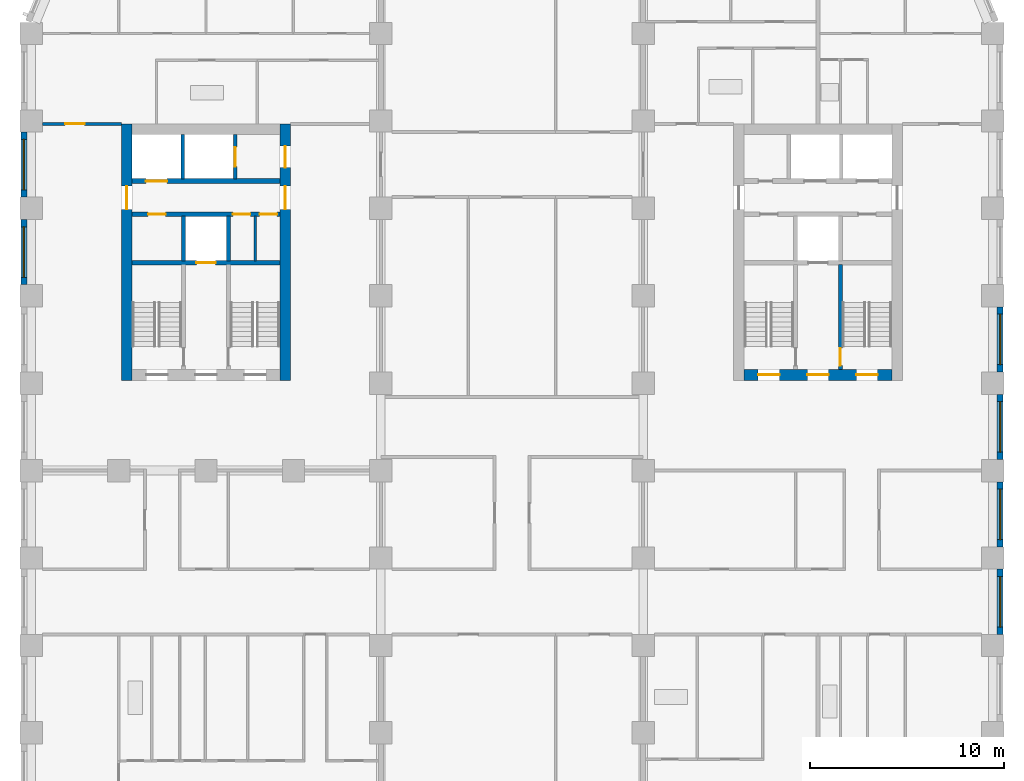
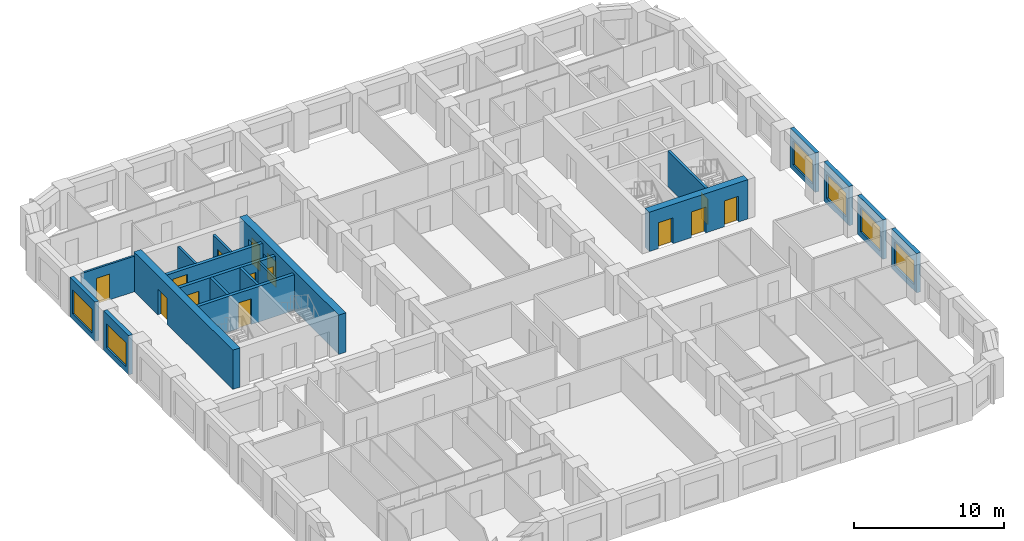
# One storey, part 6 of 13: 19 walls, 14 doors, 6 windows, 20 openings.
"""IFC4 building model written with IfcOpenShell, lengths in metres."""

from ifc_helpers import new_model, si_unit, direction, frame, frame_2d, origin, place, context, subcontext, project, spatial, rectangle, extrude, material, layer, layer_set, type_object, element, fill, save


model = new_model("IFC4")

# Units and contexts
model_context = context("Model", 3, precision=1e-05, world=origin(), true_north=direction((0.0, 1.0)))
body_context = subcontext(model_context, "Body", "Model", "MODEL_VIEW")
ifc_project = project(units=[si_unit("LENGTHUNIT", "METRE"), si_unit("AREAUNIT", "SQUARE_METRE"), si_unit("VOLUMEUNIT", "CUBIC_METRE"), si_unit("PLANEANGLEUNIT", "RADIAN"), si_unit("MASSUNIT", "GRAM", prefix="KILO")], contexts=[model_context])

# Site, building, storey
site_placement = place(None, origin())
site = spatial("IfcSite", under=ifc_project, at=site_placement, CompositionType="ELEMENT")
building_placement = place(site_placement, origin())
building = spatial("IfcBuilding", under=site, at=building_placement, Name="Girih Gate Residences", CompositionType="ELEMENT")
storey_placement = place(building_placement, frame((0.0, 0.0, 102.39990234375)))
storey = spatial("IfcBuildingStorey", under=building, at=storey_placement, Name="L28", CompositionType="ELEMENT", Elevation=102.39990234375)

# Wall, opening, door
ifc_material_1 = material(Name="Gypsum board on steel studs", Category="steel")
ifc_layer_1 = layer(ifc_material_1, 0.14990234375)
ifc_layer_set_1 = layer_set([ifc_layer_1], Name="Compartment wall 150 mm")
wall_type_1 = type_object("IfcWallType", Name="Compartment wall 150 mm", PredefinedType="PARTITIONING", material=ifc_layer_set_1)
wall_1_placement = place(storey_placement, frame((0.574951171875, 40.35009765625, 0.0), z_axis=(0.0, 0.0, 1.0), x_axis=(1.0, 0.0, 0.0)))
wall_1 = element("IfcWall", 1, at=wall_1_placement, inside=storey, type_object=wall_type_1, Name="L28 partition", PredefinedType="PARTITIONING", context=body_context, shape_type="SweptSolid", body=[
    extrude(rectangle(XDim=4.074951171875, YDim=0.14990234375, at=frame_2d((2.03759765625, 0.0))), origin(), (0.0, 0.0, 1.0), 2.900146484375),
])
opening_1_placement = place(wall_1_placement, frame((1.175048828125, 0.0, 0.0)))
opening_1 = element("IfcOpeningElement", 2, at=opening_1_placement, cuts=wall_1, Name="Opening A28-018", PredefinedType="OPENING", context=body_context, shape_type="SweptSolid", body=[
    extrude(rectangle(XDim=1.0, YDim=2.10009765625, at=frame_2d((0.5, 1.050048828125))), frame((0.0, 0.0849609375, 0.0), z_axis=(0.0, -1.0, 0.0), x_axis=(1.0, 0.0, 0.0)), (0.0, 0.0, 1.0), 0.169921875),
])
ifc_material_2 = material(Name="Timber, fire-rated core", Category="wood")
door_type_1 = type_object("IfcDoorType", Name="Flat entrance door 1000x2100 FD30S", OperationType="NOTDEFINED", PredefinedType="DOOR", material=ifc_material_2)
door_1_placement = place(opening_1_placement, origin())
door_1 = element("IfcDoor", 3, at=door_1_placement, inside=storey, type_object=door_type_1, Name="Door A28-018", OperationType="SINGLE_SWING_LEFT", OverallHeight=2.10009765625, OverallWidth=1.0, PredefinedType="DOOR", context=body_context, shape_type="SweptSolid", body=[
    extrude(rectangle(XDim=1.0, YDim=2.10009765625, at=frame_2d((0.5, 1.050048828125))), frame((0.0, 0.02490234375, 0.0), z_axis=(0.0, -1.0, 0.0), x_axis=(1.0, 0.0, 0.0)), (0.0, 0.0, 1.0), 0.050048828125),
])
fill(opening_1, door_1)

ifc_material_3 = material(Name="Concrete C60/75", Category="concrete")
ifc_layer_2 = layer(ifc_material_3, 0.550048828125)
ifc_layer_set_2 = layer_set([ifc_layer_2], Name="Core wall RC 550 Concrete C60/75")
wall_type_2 = type_object("IfcWallType", Name="Core wall RC 550 Concrete C60/75", PredefinedType="SOLIDWALL", material=ifc_layer_set_2)
wall_2_placement = place(storey_placement, frame((4.925048828125, 27.14990234375, 0.0), z_axis=(0.0, 0.0, 1.0), x_axis=(0.0, 1.0, 0.0)))
wall_2 = element("IfcWall", 4, at=wall_2_placement, inside=storey, type_object=wall_type_2, Name="Core wall W-W L28", PredefinedType="SOLIDWALL", context=body_context, shape_type="SweptSolid", body=[
    extrude(rectangle(XDim=13.2001953125, YDim=0.550048828125, at=frame_2d((6.60009765625, 0.0))), origin(), (0.0, 0.0, 1.0), 3.2001953125),
])
opening_2_placement = place(wall_2_placement, frame((8.800048828125, 0.0, 0.0)))
opening_2 = element("IfcOpeningElement", 5, at=opening_2_placement, cuts=wall_2, Name="Opening D-L28-W-013", PredefinedType="OPENING", context=body_context, shape_type="SweptSolid", body=[
    extrude(rectangle(XDim=1.199951171875, YDim=2.10009765625, at=frame_2d((0.60009765625, 1.050048828125))), frame((0.0, 0.284912109375, 0.0), z_axis=(0.0, -1.0, 0.0), x_axis=(1.0, 0.0, 0.0)), (0.0, 0.0, 1.0), 0.570068359375),
])
ifc_material_4 = material(Name="Painted steel, fire-resisting", Category="steel")
door_type_2 = type_object("IfcDoorType", Name="Fire door 1200x2100", OperationType="SINGLE_SWING_LEFT", PredefinedType="DOOR", material=ifc_material_4)
door_2_placement = place(opening_2_placement, origin())
door_2 = element("IfcDoor", 6, at=door_2_placement, inside=storey, type_object=door_type_2, Name="L28 W core door ll-w", OperationType="SINGLE_SWING_LEFT", OverallHeight=2.10009765625, OverallWidth=1.199951171875, PredefinedType="DOOR", context=body_context, shape_type="SweptSolid", body=[
    extrude(rectangle(XDim=1.199951171875, YDim=2.10009765625, at=frame_2d((0.60009765625, 1.050048828125))), frame((0.0, 0.02490234375, 0.0), z_axis=(0.0, -1.0, 0.0), x_axis=(1.0, 0.0, 0.0)), (0.0, 0.0, 1.0), 0.050048828125),
])
fill(opening_2, door_2)

# Wall, openings, doors
wall_3_placement = place(storey_placement, frame((13.074951171875, 27.14990234375, 0.0), z_axis=(0.0, 0.0, 1.0), x_axis=(0.0, 1.0, 0.0)))
wall_3 = element("IfcWall", 7, at=wall_3_placement, inside=storey, type_object=wall_type_2, Name="Core wall W-E L28", PredefinedType="SOLIDWALL", context=body_context, shape_type="SweptSolid", body=[
    extrude(rectangle(XDim=13.2001953125, YDim=0.550048828125, at=frame_2d((6.60009765625, 0.0))), origin(), (0.0, 0.0, 1.0), 3.2001953125),
])
opening_3_placement = place(wall_3_placement, frame((10.949951171875, 0.0, 0.0)))
opening_3 = element("IfcOpeningElement", 8, at=opening_3_placement, cuts=wall_3, Name="Opening D-L28-W-012", PredefinedType="OPENING", context=body_context, shape_type="SweptSolid", body=[
    extrude(rectangle(XDim=1.10009765625, YDim=2.10009765625, at=frame_2d((0.550048828125, 1.050048828125))), frame((0.0, 0.284912109375, 0.0), z_axis=(0.0, -1.0, 0.0), x_axis=(1.0, 0.0, 0.0)), (0.0, 0.0, 1.0), 0.570068359375),
])
opening_4_placement = place(wall_3_placement, frame((8.800048828125, 0.0, 0.0)))
opening_4 = element("IfcOpeningElement", 9, at=opening_4_placement, cuts=wall_3, Name="Opening D-L28-W-014", PredefinedType="OPENING", context=body_context, shape_type="SweptSolid", body=[
    extrude(rectangle(XDim=1.199951171875, YDim=2.10009765625, at=frame_2d((0.60009765625, 1.050048828125))), frame((0.0, 0.284912109375, 0.0), z_axis=(0.0, -1.0, 0.0), x_axis=(1.0, 0.0, 0.0)), (0.0, 0.0, 1.0), 0.570068359375),
])
door_type_3 = type_object("IfcDoorType", Name="Fire door 1100x2100", OperationType="SINGLE_SWING_LEFT", PredefinedType="DOOR", material=ifc_material_4)
door_3_placement = place(opening_3_placement, origin())
door_3 = element("IfcDoor", 10, at=door_3_placement, inside=storey, type_object=door_type_3, Name="L28 W core door ffl2-e", OperationType="SINGLE_SWING_LEFT", OverallHeight=2.10009765625, OverallWidth=1.10009765625, PredefinedType="DOOR", context=body_context, shape_type="SweptSolid", body=[
    extrude(rectangle(XDim=1.10009765625, YDim=2.10009765625, at=frame_2d((0.550048828125, 1.050048828125))), frame((0.0, 0.02490234375, 0.0), z_axis=(0.0, -1.0, 0.0), x_axis=(1.0, 0.0, 0.0)), (0.0, 0.0, 1.0), 0.050048828125),
])
fill(opening_3, door_3)
door_4_placement = place(opening_4_placement, origin())
door_4 = element("IfcDoor", 11, at=door_4_placement, inside=storey, type_object=door_type_2, Name="L28 W core door ll-e", OperationType="SINGLE_SWING_LEFT", OverallHeight=2.10009765625, OverallWidth=1.199951171875, PredefinedType="DOOR", context=body_context, shape_type="SweptSolid", body=[
    extrude(rectangle(XDim=1.199951171875, YDim=2.10009765625, at=frame_2d((0.60009765625, 1.050048828125))), frame((0.0, 0.02490234375, 0.0), z_axis=(0.0, -1.0, 0.0), x_axis=(1.0, 0.0, 0.0)), (0.0, 0.0, 1.0), 0.050048828125),
])
fill(opening_4, door_4)

wall_4_placement = place(storey_placement, frame((36.699951171875, 27.425048828125, 0.0), z_axis=(0.0, 0.0, 1.0), x_axis=(1.0, 0.0, 0.0)))
wall_4 = element("IfcWall", 12, at=wall_4_placement, inside=storey, type_object=wall_type_2, Name="Core wall E-S L28", PredefinedType="SOLIDWALL", context=body_context, shape_type="SweptSolid", body=[
    extrude(rectangle(XDim=7.60009765625, YDim=0.550048828125, at=frame_2d((3.800048828125, 0.0))), origin(), (0.0, 0.0, 1.0), 3.2001953125),
])
opening_5_placement = place(wall_4_placement, frame((5.77490234375, 0.0, 0.0)))
opening_5 = element("IfcOpeningElement", 13, at=opening_5_placement, cuts=wall_4, Name="Opening D-L28-E-009", PredefinedType="OPENING", context=body_context, shape_type="SweptSolid", body=[
    extrude(rectangle(XDim=1.10009765625, YDim=2.10009765625, at=frame_2d((0.550048828125, 1.050048828125))), frame((0.0, 0.284912109375, 0.0), z_axis=(0.0, -1.0, 0.0), x_axis=(1.0, 0.0, 0.0)), (0.0, 0.0, 1.0), 0.570068359375),
])
opening_6_placement = place(wall_4_placement, frame((3.25, 0.0, 0.0)))
opening_6 = element("IfcOpeningElement", 14, at=opening_6_placement, cuts=wall_4, Name="Opening D-L28-E-010", PredefinedType="OPENING", context=body_context, shape_type="SweptSolid", body=[
    extrude(rectangle(XDim=1.10009765625, YDim=2.10009765625, at=frame_2d((0.550048828125, 1.050048828125))), frame((0.0, 0.284912109375, 0.0), z_axis=(0.0, -1.0, 0.0), x_axis=(1.0, 0.0, 0.0)), (0.0, 0.0, 1.0), 0.570068359375),
])
opening_7_placement = place(wall_4_placement, frame((0.72509765625, 0.0, 0.0)))
opening_7 = element("IfcOpeningElement", 15, at=opening_7_placement, cuts=wall_4, Name="Opening D-L28-E-011", PredefinedType="OPENING", context=body_context, shape_type="SweptSolid", body=[
    extrude(rectangle(XDim=1.10009765625, YDim=2.10009765625, at=frame_2d((0.550048828125, 1.050048828125))), frame((0.0, 0.284912109375, 0.0), z_axis=(0.0, -1.0, 0.0), x_axis=(1.0, 0.0, 0.0)), (0.0, 0.0, 1.0), 0.570068359375),
])
door_5_placement = place(opening_5_placement, origin())
door_5 = element("IfcDoor", 16, at=door_5_placement, inside=storey, type_object=door_type_3, Name="L28 E core door sta-out", OperationType="SINGLE_SWING_LEFT", OverallHeight=2.10009765625, OverallWidth=1.10009765625, PredefinedType="DOOR", context=body_context, shape_type="SweptSolid", body=[
    extrude(rectangle(XDim=1.10009765625, YDim=2.10009765625, at=frame_2d((0.550048828125, 1.050048828125))), frame((0.0, 0.02490234375, 0.0), z_axis=(0.0, -1.0, 0.0), x_axis=(1.0, 0.0, 0.0)), (0.0, 0.0, 1.0), 0.050048828125),
])
fill(opening_5, door_5)
door_6_placement = place(opening_6_placement, origin())
door_6 = element("IfcDoor", 17, at=door_6_placement, inside=storey, type_object=door_type_3, Name="L28 E core door ffl-out", OperationType="SINGLE_SWING_LEFT", OverallHeight=2.10009765625, OverallWidth=1.10009765625, PredefinedType="DOOR", context=body_context, shape_type="SweptSolid", body=[
    extrude(rectangle(XDim=1.10009765625, YDim=2.10009765625, at=frame_2d((0.550048828125, 1.050048828125))), frame((0.0, 0.02490234375, 0.0), z_axis=(0.0, -1.0, 0.0), x_axis=(1.0, 0.0, 0.0)), (0.0, 0.0, 1.0), 0.050048828125),
])
fill(opening_6, door_6)
door_7_placement = place(opening_7_placement, origin())
door_7 = element("IfcDoor", 18, at=door_7_placement, inside=storey, type_object=door_type_3, Name="L28 E core door stb-out", OperationType="SINGLE_SWING_LEFT", OverallHeight=2.10009765625, OverallWidth=1.10009765625, PredefinedType="DOOR", context=body_context, shape_type="SweptSolid", body=[
    extrude(rectangle(XDim=1.10009765625, YDim=2.10009765625, at=frame_2d((0.550048828125, 1.050048828125))), frame((0.0, 0.02490234375, 0.0), z_axis=(0.0, -1.0, 0.0), x_axis=(1.0, 0.0, 0.0)), (0.0, 0.0, 1.0), 0.050048828125),
])
fill(opening_7, door_7)

# Wall, opening, door
ifc_material_5 = material(Name="Concrete C40/50", Category="concrete")
ifc_layer_3 = layer(ifc_material_5, 0.25)
ifc_layer_set_3 = layer_set([ifc_layer_3], Name="Lift shaft wall 250")
wall_type_3 = type_object("IfcWallType", Name="Lift shaft wall 250", PredefinedType="SOLIDWALL", material=ifc_layer_set_3)
wall_5_placement = place(storey_placement, frame((5.199951171875, 33.199951171875, 0.0), z_axis=(0.0, 0.0, 1.0), x_axis=(1.0, 0.0, 0.0)))
wall_5 = element("IfcWall", 19, at=wall_5_placement, inside=storey, type_object=wall_type_3, Name="L28 W core wall H1", PredefinedType="SOLIDWALL", context=body_context, shape_type="SweptSolid", body=[
    extrude(rectangle(XDim=7.60009765625, YDim=0.25, at=frame_2d((3.800048828125, 0.0))), origin(), (0.0, 0.0, 1.0), 2.900146484375),
])
opening_8_placement = place(wall_5_placement, frame((3.300048828125, 0.0, 0.0)))
opening_8 = element("IfcOpeningElement", 20, at=opening_8_placement, cuts=wall_5, Name="Opening D-L28-W-005", PredefinedType="OPENING", context=body_context, shape_type="SweptSolid", body=[
    extrude(rectangle(XDim=1.0, YDim=2.10009765625, at=frame_2d((0.5, 1.050048828125))), frame((0.0, 0.135009765625, 0.0), z_axis=(0.0, -1.0, 0.0), x_axis=(1.0, 0.0, 0.0)), (0.0, 0.0, 1.0), 0.27001953125),
])
ifc_material_6 = material(Name="Stainless steel, fire-resisting", Category="steel")
door_type_4 = type_object("IfcDoorType", Name="Firefighting lift landing door 1000x2100", OperationType="SLIDING_TO_LEFT", PredefinedType="DOOR", material=ifc_material_6)
door_8_placement = place(opening_8_placement, origin())
door_8 = element("IfcDoor", 21, at=door_8_placement, inside=storey, type_object=door_type_4, Name="L28 lift FF-W landing door", OperationType="SLIDING_TO_LEFT", OverallHeight=2.10009765625, OverallWidth=1.0, PredefinedType="DOOR", context=body_context, shape_type="SweptSolid", body=[
    extrude(rectangle(XDim=1.0, YDim=2.10009765625, at=frame_2d((0.5, 1.050048828125))), frame((0.0, 0.02490234375, 0.0), z_axis=(0.0, -1.0, 0.0), x_axis=(1.0, 0.0, 0.0)), (0.0, 0.0, 1.0), 0.050048828125),
])
fill(opening_8, door_8)

# Wall, openings, doors
wall_6_placement = place(storey_placement, frame((5.199951171875, 35.699951171875, 0.0), z_axis=(0.0, 0.0, 1.0), x_axis=(1.0, 0.0, 0.0)))
wall_6 = element("IfcWall", 22, at=wall_6_placement, inside=storey, type_object=wall_type_3, Name="L28 W core wall H2", PredefinedType="SOLIDWALL", context=body_context, shape_type="SweptSolid", body=[
    extrude(rectangle(XDim=7.60009765625, YDim=0.25, at=frame_2d((3.800048828125, 0.0))), origin(), (0.0, 0.0, 1.0), 2.900146484375),
])
opening_9_placement = place(wall_6_placement, frame((0.824951171875, 0.0, 0.0)))
opening_9 = element("IfcOpeningElement", 23, at=opening_9_placement, cuts=wall_6, Name="Opening D-L28-W-006", PredefinedType="OPENING", context=body_context, shape_type="SweptSolid", body=[
    extrude(rectangle(XDim=0.89990234375, YDim=2.10009765625, at=frame_2d((0.449951171875, 1.050048828125))), frame((0.0, 0.135009765625, 0.0), z_axis=(0.0, -1.0, 0.0), x_axis=(1.0, 0.0, 0.0)), (0.0, 0.0, 1.0), 0.27001953125),
])
opening_10_placement = place(wall_6_placement, frame((5.1875, 0.0, 0.0)))
opening_10 = element("IfcOpeningElement", 24, at=opening_10_placement, cuts=wall_6, Name="Opening D-L28-W-007", PredefinedType="OPENING", context=body_context, shape_type="SweptSolid", body=[
    extrude(rectangle(XDim=0.89990234375, YDim=2.10009765625, at=frame_2d((0.449951171875, 1.050048828125))), frame((0.0, 0.135009765625, 0.0), z_axis=(0.0, -1.0, 0.0), x_axis=(1.0, 0.0, 0.0)), (0.0, 0.0, 1.0), 0.27001953125),
])
opening_11_placement = place(wall_6_placement, frame((6.5625, 0.0, 0.0)))
opening_11 = element("IfcOpeningElement", 25, at=opening_11_placement, cuts=wall_6, Name="Opening D-L28-W-008", PredefinedType="OPENING", context=body_context, shape_type="SweptSolid", body=[
    extrude(rectangle(XDim=0.89990234375, YDim=2.10009765625, at=frame_2d((0.449951171875, 1.050048828125))), frame((0.0, 0.135009765625, 0.0), z_axis=(0.0, -1.0, 0.0), x_axis=(1.0, 0.0, 0.0)), (0.0, 0.0, 1.0), 0.27001953125),
])
door_type_5 = type_object("IfcDoorType", Name="Fire door 900x2100", OperationType="SINGLE_SWING_LEFT", PredefinedType="DOOR", material=ifc_material_4)
door_9_placement = place(opening_9_placement, origin())
door_9 = element("IfcDoor", 26, at=door_9_placement, inside=storey, type_object=door_type_5, Name="L28 W comms room door", OperationType="SINGLE_SWING_LEFT", OverallHeight=2.10009765625, OverallWidth=0.89990234375, PredefinedType="DOOR", context=body_context, shape_type="SweptSolid", body=[
    extrude(rectangle(XDim=0.89990234375, YDim=2.10009765625, at=frame_2d((0.449951171875, 1.050048828125))), frame((0.0, 0.02490234375, 0.0), z_axis=(0.0, -1.0, 0.0), x_axis=(1.0, 0.0, 0.0)), (0.0, 0.0, 1.0), 0.050048828125),
])
fill(opening_9, door_9)
door_10_placement = place(opening_10_placement, origin())
door_10 = element("IfcDoor", 27, at=door_10_placement, inside=storey, type_object=door_type_5, Name="L28 W cleaners store door", OperationType="SINGLE_SWING_LEFT", OverallHeight=2.10009765625, OverallWidth=0.89990234375, PredefinedType="DOOR", context=body_context, shape_type="SweptSolid", body=[
    extrude(rectangle(XDim=0.89990234375, YDim=2.10009765625, at=frame_2d((0.449951171875, 1.050048828125))), frame((0.0, 0.02490234375, 0.0), z_axis=(0.0, -1.0, 0.0), x_axis=(1.0, 0.0, 0.0)), (0.0, 0.0, 1.0), 0.050048828125),
])
fill(opening_10, door_10)
door_11_placement = place(opening_11_placement, origin())
door_11 = element("IfcDoor", 28, at=door_11_placement, inside=storey, type_object=door_type_5, Name="L28 W riser room door", OperationType="SINGLE_SWING_LEFT", OverallHeight=2.10009765625, OverallWidth=0.89990234375, PredefinedType="DOOR", context=body_context, shape_type="SweptSolid", body=[
    extrude(rectangle(XDim=0.89990234375, YDim=2.10009765625, at=frame_2d((0.449951171875, 1.050048828125))), frame((0.0, 0.02490234375, 0.0), z_axis=(0.0, -1.0, 0.0), x_axis=(1.0, 0.0, 0.0)), (0.0, 0.0, 1.0), 0.050048828125),
])
fill(opening_11, door_11)

# Wall, opening, door
wall_7_placement = place(storey_placement, frame((5.199951171875, 37.39990234375, 0.0), z_axis=(0.0, 0.0, 1.0), x_axis=(1.0, 0.0, 0.0)))
wall_7 = element("IfcWall", 29, at=wall_7_placement, inside=storey, type_object=wall_type_3, Name="L28 W core wall H3", PredefinedType="SOLIDWALL", context=body_context, shape_type="SweptSolid", body=[
    extrude(rectangle(XDim=7.60009765625, YDim=0.25, at=frame_2d((3.800048828125, 0.0))), origin(), (0.0, 0.0, 1.0), 2.900146484375),
])
opening_12_placement = place(wall_7_placement, frame((0.699951171875, 0.0, 0.0)))
opening_12 = element("IfcOpeningElement", 30, at=opening_12_placement, cuts=wall_7, Name="Opening D-L28-W-003", PredefinedType="OPENING", context=body_context, shape_type="SweptSolid", body=[
    extrude(rectangle(XDim=1.10009765625, YDim=2.39990234375, at=frame_2d((0.550048828125, 1.199951171875))), frame((0.0, 0.135009765625, 0.0), z_axis=(0.0, -1.0, 0.0), x_axis=(1.0, 0.0, 0.0)), (0.0, 0.0, 1.0), 0.27001953125),
])
ifc_material_7 = material(Name="Stainless steel", Category="steel")
door_type_6 = type_object("IfcDoorType", Name="Lift landing door 1100x2400", OperationType="SLIDING_TO_LEFT", PredefinedType="DOOR", material=ifc_material_7)
door_12_placement = place(opening_12_placement, origin())
door_12 = element("IfcDoor", 31, at=door_12_placement, inside=storey, type_object=door_type_6, Name="L28 lift LR-W1 landing door", OperationType="SLIDING_TO_LEFT", OverallHeight=2.39990234375, OverallWidth=1.10009765625, PredefinedType="DOOR", context=body_context, shape_type="SweptSolid", body=[
    extrude(rectangle(XDim=1.10009765625, YDim=2.39990234375, at=frame_2d((0.550048828125, 1.199951171875))), frame((0.0, 0.02490234375, 0.0), z_axis=(0.0, -1.0, 0.0), x_axis=(1.0, 0.0, 0.0)), (0.0, 0.0, 1.0), 0.050048828125),
])
fill(opening_12, door_12)

# Wall, opening, window
ifc_material_8 = material(Name="Precast concrete C50/60", Category="concrete")
ifc_layer_4 = layer(ifc_material_8, 0.080078125, Name="Outer leaf")
ifc_material_9 = material(Name="Rigid PIR insulation")
ifc_layer_5 = layer(ifc_material_9, 0.14990234375, Name="Insulation")
ifc_material_10 = material(Name="Precast concrete C40/50", Category="concrete")
ifc_layer_6 = layer(ifc_material_10, 0.070068359375, Name="Inner leaf")
ifc_layer_set_4 = layer_set([ifc_layer_4, ifc_layer_5, ifc_layer_6], Name="Precast concrete C50/60 external wall 300")
wall_type_4 = type_object("IfcWallType", Name="Precast concrete C50/60 external wall 300", PredefinedType="SOLIDWALL", material=ifc_layer_set_4)
wall_8_placement = place(storey_placement, frame((49.875, 17.425048828125, 0.0), z_axis=(0.0, 0.0, 1.0), x_axis=(0.0, -1.0, 0.0)))
wall_8 = element("IfcWall", 32, at=wall_8_placement, inside=storey, type_object=wall_type_4, Name="External wall E0495_0045.2", PredefinedType="SOLIDWALL", context=body_context, shape_type="SweptSolid", body=[
    extrude(rectangle(XDim=3.35009765625, YDim=0.300048828125, at=frame_2d((1.675048828125, 0.0))), origin(), (0.0, 0.0, 1.0), 3.2001953125),
])
opening_13_placement = place(wall_8_placement, frame((0.375, 0.0, 0.449951171875)))
opening_13 = element("IfcOpeningElement", 33, at=opening_13_placement, cuts=wall_8, Name="Opening W-1A", PredefinedType="OPENING", context=body_context, shape_type="SweptSolid", body=[
    extrude(rectangle(XDim=2.60009765625, YDim=1.949951171875, at=frame_2d((1.300048828125, 0.97509765625))), frame((0.0, 0.159912109375, 0.0), z_axis=(0.0, -1.0, 0.0), x_axis=(1.0, 0.0, 0.0)), (0.0, 0.0, 1.0), 0.320068359375),
])
ifc_material_11 = material(Name="Double glazing in aluminium frame", Category="aluminium")
window_type = type_object("IfcWindowType", Name="Window W-1A 2600x1950", PartitioningType="SINGLE_PANEL", PredefinedType="WINDOW", material=ifc_material_11)
window_1_placement = place(opening_13_placement, origin())
window_1 = element("IfcWindow", 34, at=window_1_placement, inside=storey, type_object=window_type, Name="Window W-1A E0495_0045.2", OverallHeight=1.949951171875, OverallWidth=2.60009765625, PartitioningType="SINGLE_PANEL", PredefinedType="WINDOW", context=body_context, shape_type="SweptSolid", body=[
    extrude(rectangle(XDim=2.60009765625, YDim=1.949951171875, at=frame_2d((1.300048828125, 0.97509765625))), frame((0.0, 0.030029296875, 0.0), z_axis=(0.0, -1.0, 0.0), x_axis=(1.0, 0.0, 0.0)), (0.0, 0.0, 1.0), 0.06005859375),
])
fill(opening_13, window_1)

wall_9_placement = place(storey_placement, frame((49.875, 21.925048828125, 0.0), z_axis=(0.0, 0.0, 1.0), x_axis=(0.0, -1.0, 0.0)))
wall_9 = element("IfcWall", 35, at=wall_9_placement, inside=storey, type_object=wall_type_4, Name="External wall E0495_0045.3", PredefinedType="SOLIDWALL", context=body_context, shape_type="SweptSolid", body=[
    extrude(rectangle(XDim=3.35009765625, YDim=0.300048828125, at=frame_2d((1.675048828125, 0.0))), origin(), (0.0, 0.0, 1.0), 3.2001953125),
])
opening_14_placement = place(wall_9_placement, frame((0.375, 0.0, 0.449951171875)))
opening_14 = element("IfcOpeningElement", 36, at=opening_14_placement, cuts=wall_9, Name="Opening W-1A", PredefinedType="OPENING", context=body_context, shape_type="SweptSolid", body=[
    extrude(rectangle(XDim=2.60009765625, YDim=1.949951171875, at=frame_2d((1.300048828125, 0.97509765625))), frame((0.0, 0.159912109375, 0.0), z_axis=(0.0, -1.0, 0.0), x_axis=(1.0, 0.0, 0.0)), (0.0, 0.0, 1.0), 0.320068359375),
])
window_2_placement = place(opening_14_placement, origin())
window_2 = element("IfcWindow", 37, at=window_2_placement, inside=storey, type_object=window_type, Name="Window W-1A E0495_0045.3", OverallHeight=1.949951171875, OverallWidth=2.60009765625, PartitioningType="SINGLE_PANEL", PredefinedType="WINDOW", context=body_context, shape_type="SweptSolid", body=[
    extrude(rectangle(XDim=2.60009765625, YDim=1.949951171875, at=frame_2d((1.300048828125, 0.97509765625))), frame((0.0, 0.030029296875, 0.0), z_axis=(0.0, -1.0, 0.0), x_axis=(1.0, 0.0, 0.0)), (0.0, 0.0, 1.0), 0.06005859375),
])
fill(opening_14, window_2)

wall_10_placement = place(storey_placement, frame((49.875, 26.425048828125, 0.0), z_axis=(0.0, 0.0, 1.0), x_axis=(0.0, -1.0, 0.0)))
wall_10 = element("IfcWall", 38, at=wall_10_placement, inside=storey, type_object=wall_type_4, Name="External wall E0495_0045.4", PredefinedType="SOLIDWALL", context=body_context, shape_type="SweptSolid", body=[
    extrude(rectangle(XDim=3.35009765625, YDim=0.300048828125, at=frame_2d((1.675048828125, 0.0))), origin(), (0.0, 0.0, 1.0), 3.2001953125),
])
opening_15_placement = place(wall_10_placement, frame((0.375, 0.0, 0.449951171875)))
opening_15 = element("IfcOpeningElement", 39, at=opening_15_placement, cuts=wall_10, Name="Opening W-1A", PredefinedType="OPENING", context=body_context, shape_type="SweptSolid", body=[
    extrude(rectangle(XDim=2.60009765625, YDim=1.949951171875, at=frame_2d((1.300048828125, 0.97509765625))), frame((0.0, 0.159912109375, 0.0), z_axis=(0.0, -1.0, 0.0), x_axis=(1.0, 0.0, 0.0)), (0.0, 0.0, 1.0), 0.320068359375),
])
window_3_placement = place(opening_15_placement, origin())
window_3 = element("IfcWindow", 40, at=window_3_placement, inside=storey, type_object=window_type, Name="Window W-1A E0495_0045.4", OverallHeight=1.949951171875, OverallWidth=2.60009765625, PartitioningType="SINGLE_PANEL", PredefinedType="WINDOW", context=body_context, shape_type="SweptSolid", body=[
    extrude(rectangle(XDim=2.60009765625, YDim=1.949951171875, at=frame_2d((1.300048828125, 0.97509765625))), frame((0.0, 0.030029296875, 0.0), z_axis=(0.0, -1.0, 0.0), x_axis=(1.0, 0.0, 0.0)), (0.0, 0.0, 1.0), 0.06005859375),
])
fill(opening_15, window_3)

wall_11_placement = place(storey_placement, frame((49.875, 30.925048828125, 0.0), z_axis=(0.0, 0.0, 1.0), x_axis=(0.0, -1.0, 0.0)))
wall_11 = element("IfcWall", 41, at=wall_11_placement, inside=storey, type_object=wall_type_4, Name="External wall E0495_0045.5", PredefinedType="SOLIDWALL", context=body_context, shape_type="SweptSolid", body=[
    extrude(rectangle(XDim=3.35009765625, YDim=0.300048828125, at=frame_2d((1.675048828125, 0.0))), origin(), (0.0, 0.0, 1.0), 3.2001953125),
])
opening_16_placement = place(wall_11_placement, frame((0.375, 0.0, 0.449951171875)))
opening_16 = element("IfcOpeningElement", 42, at=opening_16_placement, cuts=wall_11, Name="Opening W-1A", PredefinedType="OPENING", context=body_context, shape_type="SweptSolid", body=[
    extrude(rectangle(XDim=2.60009765625, YDim=1.949951171875, at=frame_2d((1.300048828125, 0.97509765625))), frame((0.0, 0.159912109375, 0.0), z_axis=(0.0, -1.0, 0.0), x_axis=(1.0, 0.0, 0.0)), (0.0, 0.0, 1.0), 0.320068359375),
])
window_4_placement = place(opening_16_placement, origin())
window_4 = element("IfcWindow", 43, at=window_4_placement, inside=storey, type_object=window_type, Name="Window W-1A E0495_0045.5", OverallHeight=1.949951171875, OverallWidth=2.60009765625, PartitioningType="SINGLE_PANEL", PredefinedType="WINDOW", context=body_context, shape_type="SweptSolid", body=[
    extrude(rectangle(XDim=2.60009765625, YDim=1.949951171875, at=frame_2d((1.300048828125, 0.97509765625))), frame((0.0, 0.030029296875, 0.0), z_axis=(0.0, -1.0, 0.0), x_axis=(1.0, 0.0, 0.0)), (0.0, 0.0, 1.0), 0.06005859375),
])
fill(opening_16, window_4)

wall_12_placement = place(storey_placement, frame((-0.375, 36.574951171875, 0.0), z_axis=(0.0, 0.0, 1.0), x_axis=(0.0, 1.0, 0.0)))
wall_12 = element("IfcWall", 44, at=wall_12_placement, inside=storey, type_object=wall_type_4, Name="External wall W0000_0450.1", PredefinedType="SOLIDWALL", context=body_context, shape_type="SweptSolid", body=[
    extrude(rectangle(XDim=3.35009765625, YDim=0.300048828125, at=frame_2d((1.675048828125, 0.0))), origin(), (0.0, 0.0, 1.0), 3.2001953125),
])
opening_17_placement = place(wall_12_placement, frame((0.375, 0.0, 0.449951171875)))
opening_17 = element("IfcOpeningElement", 45, at=opening_17_placement, cuts=wall_12, Name="Opening W-1A", PredefinedType="OPENING", context=body_context, shape_type="SweptSolid", body=[
    extrude(rectangle(XDim=2.60009765625, YDim=1.949951171875, at=frame_2d((1.300048828125, 0.97509765625))), frame((0.0, 0.159912109375, 0.0), z_axis=(0.0, -1.0, 0.0), x_axis=(1.0, 0.0, 0.0)), (0.0, 0.0, 1.0), 0.320068359375),
])
window_5_placement = place(opening_17_placement, origin())
window_5 = element("IfcWindow", 46, at=window_5_placement, inside=storey, type_object=window_type, Name="Window W-1A W0000_0450.1", OverallHeight=1.949951171875, OverallWidth=2.60009765625, PartitioningType="SINGLE_PANEL", PredefinedType="WINDOW", context=body_context, shape_type="SweptSolid", body=[
    extrude(rectangle(XDim=2.60009765625, YDim=1.949951171875, at=frame_2d((1.300048828125, 0.97509765625))), frame((0.0, 0.030029296875, 0.0), z_axis=(0.0, -1.0, 0.0), x_axis=(1.0, 0.0, 0.0)), (0.0, 0.0, 1.0), 0.06005859375),
])
fill(opening_17, window_5)

wall_13_placement = place(storey_placement, frame((-0.375, 32.074951171875, 0.0), z_axis=(0.0, 0.0, 1.0), x_axis=(0.0, 1.0, 0.0)))
wall_13 = element("IfcWall", 47, at=wall_13_placement, inside=storey, type_object=wall_type_4, Name="External wall W0000_0450.2", PredefinedType="SOLIDWALL", context=body_context, shape_type="SweptSolid", body=[
    extrude(rectangle(XDim=3.35009765625, YDim=0.300048828125, at=frame_2d((1.675048828125, 0.0))), origin(), (0.0, 0.0, 1.0), 3.2001953125),
])
opening_18_placement = place(wall_13_placement, frame((0.375, 0.0, 0.449951171875)))
opening_18 = element("IfcOpeningElement", 48, at=opening_18_placement, cuts=wall_13, Name="Opening W-1A", PredefinedType="OPENING", context=body_context, shape_type="SweptSolid", body=[
    extrude(rectangle(XDim=2.60009765625, YDim=1.949951171875, at=frame_2d((1.300048828125, 0.97509765625))), frame((0.0, 0.159912109375, 0.0), z_axis=(0.0, -1.0, 0.0), x_axis=(1.0, 0.0, 0.0)), (0.0, 0.0, 1.0), 0.320068359375),
])
window_6_placement = place(opening_18_placement, origin())
window_6 = element("IfcWindow", 49, at=window_6_placement, inside=storey, type_object=window_type, Name="Window W-1A W0000_0450.2", OverallHeight=1.949951171875, OverallWidth=2.60009765625, PartitioningType="SINGLE_PANEL", PredefinedType="WINDOW", context=body_context, shape_type="SweptSolid", body=[
    extrude(rectangle(XDim=2.60009765625, YDim=1.949951171875, at=frame_2d((1.300048828125, 0.97509765625))), frame((0.0, 0.030029296875, 0.0), z_axis=(0.0, -1.0, 0.0), x_axis=(1.0, 0.0, 0.0)), (0.0, 0.0, 1.0), 0.06005859375),
])
fill(opening_18, window_6)

# Wall
ifc_layer_7 = layer(ifc_material_5, 0.175048828125)
ifc_layer_set_5 = layer_set([ifc_layer_7], Name="Riser shaft wall 175")
wall_type_5 = type_object("IfcWallType", Name="Riser shaft wall 175", PredefinedType="SOLIDWALL", material=ifc_layer_set_5)
wall_14_placement = place(storey_placement, frame((7.800048828125, 37.5, 0.0), z_axis=(0.0, 0.0, 1.0), x_axis=(0.0, 1.0, 0.0)))
element("IfcWall", 50, at=wall_14_placement, inside=storey, type_object=wall_type_5, Name="L28 W core wall V1c", PredefinedType="SOLIDWALL", context=body_context, shape_type="SweptSolid", body=[
    extrude(rectangle(XDim=2.300048828125, YDim=0.175048828125, at=frame_2d((1.14990234375, 0.0))), origin(), (0.0, 0.0, 1.0), 2.900146484375),
])

# Wall, opening, door
wall_15_placement = place(storey_placement, frame((10.5, 37.5, 0.0), z_axis=(0.0, 0.0, 1.0), x_axis=(0.0, 1.0, 0.0)))
wall_15 = element("IfcWall", 51, at=wall_15_placement, inside=storey, type_object=wall_type_5, Name="L28 W core wall V2c", PredefinedType="SOLIDWALL", context=body_context, shape_type="SweptSolid", body=[
    extrude(rectangle(XDim=2.300048828125, YDim=0.175048828125, at=frame_2d((1.14990234375, 0.0))), origin(), (0.0, 0.0, 1.0), 2.900146484375),
])
opening_19_placement = place(wall_15_placement, frame((0.64990234375, 0.0, 0.0)))
opening_19 = element("IfcOpeningElement", 52, at=opening_19_placement, cuts=wall_15, Name="Opening D-L28-W-004", PredefinedType="OPENING", context=body_context, shape_type="SweptSolid", body=[
    extrude(rectangle(XDim=1.0, YDim=2.10009765625, at=frame_2d((0.5, 1.050048828125))), frame((0.0, 0.097412109375, 0.0), z_axis=(0.0, -1.0, 0.0), x_axis=(1.0, 0.0, 0.0)), (0.0, 0.0, 1.0), 0.195068359375),
])
door_13_placement = place(opening_19_placement, origin())
door_13 = element("IfcDoor", 53, at=door_13_placement, inside=storey, type_object=door_type_4, Name="L28 lift FF-W2 landing door", OperationType="SLIDING_TO_LEFT", OverallHeight=2.10009765625, OverallWidth=1.0, PredefinedType="DOOR", context=body_context, shape_type="SweptSolid", body=[
    extrude(rectangle(XDim=1.0, YDim=2.10009765625, at=frame_2d((0.5, 1.050048828125))), frame((0.0, 0.02490234375, 0.0), z_axis=(0.0, -1.0, 0.0), x_axis=(1.0, 0.0, 0.0)), (0.0, 0.0, 1.0), 0.050048828125),
])
fill(opening_19, door_13)

# Walls
ifc_layer_8 = layer(ifc_material_5, 0.199951171875)
ifc_layer_set_6 = layer_set([ifc_layer_8], Name="Shaft wall 200")
wall_type_6 = type_object("IfcWallType", Name="Shaft wall 200", PredefinedType="SOLIDWALL", material=ifc_layer_set_6)
for number, where, z_axis, x_axis, name in (
    (54, (7.85009765625, 33.300048828125, 0.0), (0.0, 0.0, 1.0), (0.0, 1.0, 0.0), "L28 W core wall V1b"),
    (55, (10.14990234375, 33.300048828125, 0.0), (0.0, 0.0, 1.0), (0.0, 1.0, 0.0), "L28 W core wall V2b"),
):
    element("IfcWall", number, at=place(storey_placement, frame(where, z_axis=z_axis, x_axis=x_axis)), inside=storey, type_object=wall_type_6, Name=name, PredefinedType="SOLIDWALL", context=body_context, shape_type="SweptSolid", body=[
        extrude(rectangle(XDim=2.300048828125, YDim=0.199951171875, at=frame_2d((1.14990234375, 0.0))), origin(), (0.0, 0.0, 1.0), 2.900146484375),
    ])

# Wall, opening, door
wall_16_placement = place(storey_placement, frame((41.64990234375, 27.699951171875, 0.0), z_axis=(0.0, 0.0, 1.0), x_axis=(0.0, 1.0, 0.0)))
wall_16 = element("IfcWall", 56, at=wall_16_placement, inside=storey, type_object=wall_type_6, Name="L28 E core wall V1a", PredefinedType="SOLIDWALL", context=body_context, shape_type="SweptSolid", body=[
    extrude(rectangle(XDim=5.400146484375, YDim=0.199951171875, at=frame_2d((2.7001953125, 0.0))), origin(), (0.0, 0.0, 1.0), 2.900146484375),
])
opening_20_placement = place(wall_16_placement, frame((0.199951171875, 0.0, 0.0)))
opening_20 = element("IfcOpeningElement", 57, at=opening_20_placement, cuts=wall_16, Name="Opening D-L28-E-001", PredefinedType="OPENING", context=body_context, shape_type="SweptSolid", body=[
    extrude(rectangle(XDim=0.89990234375, YDim=2.10009765625, at=frame_2d((0.449951171875, 1.050048828125))), frame((0.0, 0.10986328125, 0.0), z_axis=(0.0, -1.0, 0.0), x_axis=(1.0, 0.0, 0.0)), (0.0, 0.0, 1.0), 0.219970703125),
])
door_14_placement = place(opening_20_placement, origin())
door_14 = element("IfcDoor", 58, at=door_14_placement, inside=storey, type_object=door_type_5, Name="L28 E door stair 1 to firefighting lobby", OperationType="SINGLE_SWING_LEFT", OverallHeight=2.10009765625, OverallWidth=0.89990234375, PredefinedType="DOOR", context=body_context, shape_type="SweptSolid", body=[
    extrude(rectangle(XDim=0.89990234375, YDim=2.10009765625, at=frame_2d((0.449951171875, 1.050048828125))), frame((0.0, 0.02490234375, 0.0), z_axis=(0.0, -1.0, 0.0), x_axis=(1.0, 0.0, 0.0)), (0.0, 0.0, 1.0), 0.050048828125),
])
fill(opening_20, door_14)

# Wall
ifc_material_12 = material(Name="Calcium silicate blockwork", Category="masonry")
ifc_layer_9 = layer(ifc_material_12, 0.125)
ifc_layer_set_7 = layer_set([ifc_layer_9], Name="Store partition 125")
wall_type_7 = type_object("IfcWallType", Name="Store partition 125", PredefinedType="PARTITIONING", material=ifc_layer_set_7)
wall_17_placement = place(storey_placement, frame((11.52490234375, 33.300048828125, 0.0), z_axis=(0.0, 0.0, 1.0), x_axis=(0.0, 1.0, 0.0)))
element("IfcWall", 59, at=wall_17_placement, inside=storey, type_object=wall_type_7, Name="L28 W core wall SHR2", PredefinedType="PARTITIONING", context=body_context, shape_type="SweptSolid", body=[
    extrude(rectangle(XDim=2.300048828125, YDim=0.125, at=frame_2d((1.14990234375, 0.0))), origin(), (0.0, 0.0, 1.0), 2.900146484375),
])

save(model, "model.ifc")
